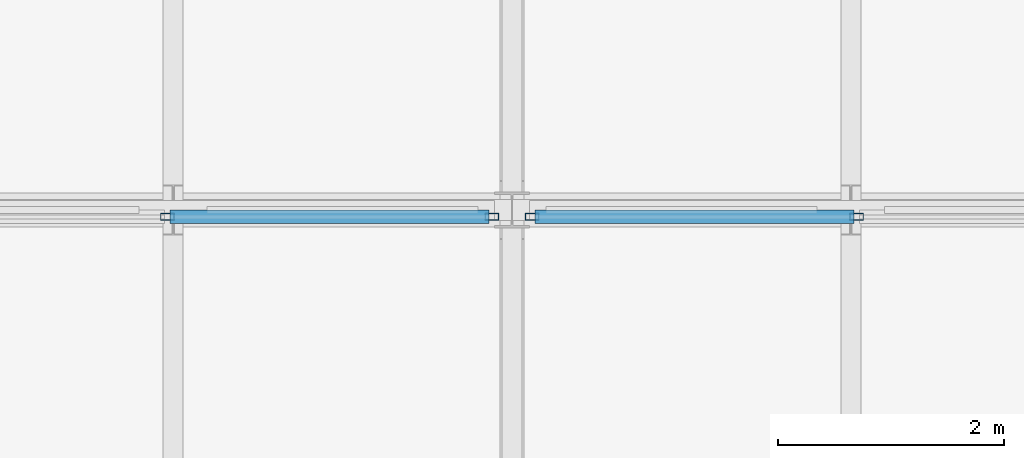
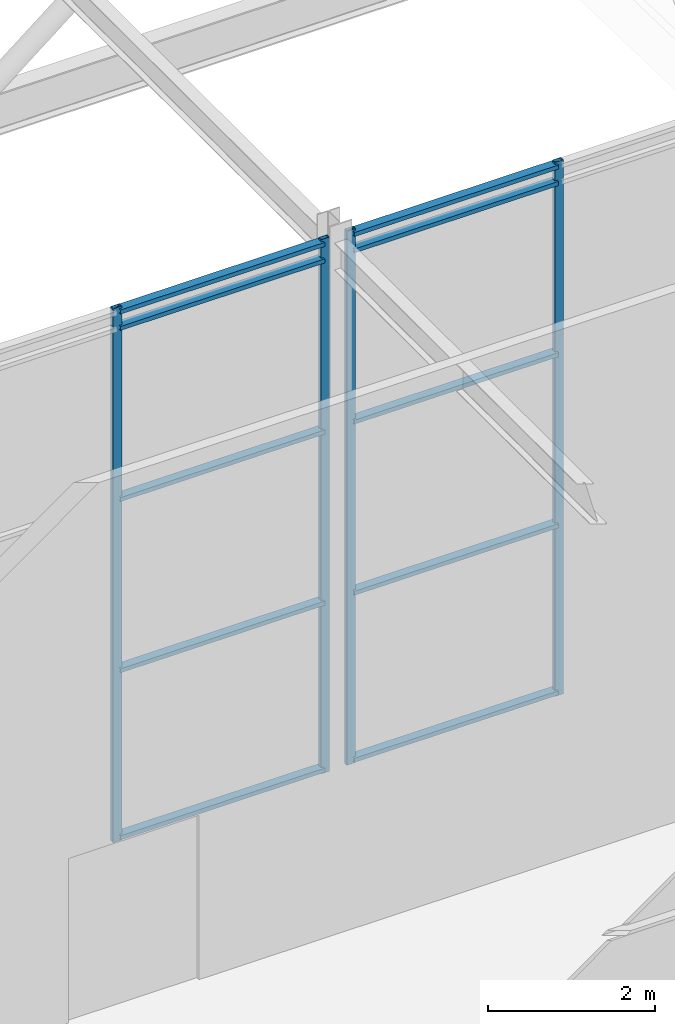
# One storey, part 55 of 144: 14 members, 2 elements without a shape of their own.
"""IFC4 building model written with IfcOpenShell, lengths in metres."""

from ifc_helpers import new_model, si_unit, direction, frame, origin, origin_2d, place, context, subcontext, project, spatial, hollow_rectangle, extrude, material, layer, layer_set, material_profile, profile_set, type_object, element, aggregate, save


model = new_model("IFC4")

# Units and contexts
model_context = context("Model", 3, precision=1e-05, world=origin(), true_north=direction((0.0, 1.0)))
body_context = subcontext(model_context, "Body", "Model", "MODEL_VIEW")
ifc_project = project(units=[si_unit("LENGTHUNIT", "METRE"), si_unit("AREAUNIT", "SQUARE_METRE"), si_unit("VOLUMEUNIT", "CUBIC_METRE"), si_unit("PLANEANGLEUNIT", "RADIAN"), si_unit("MASSUNIT", "GRAM", prefix="KILO")], contexts=[model_context])

# Site, building, storey
site_placement = place(None, origin())
site = spatial("IfcSite", under=ifc_project, at=site_placement, CompositionType="ELEMENT")
building_placement = place(site_placement, origin())
building = spatial("IfcBuilding", under=site, at=building_placement, Name="Shorebreak Coast Museum", CompositionType="ELEMENT")
storey_placement = place(building_placement, frame((0.0, 0.0, 36.0)))
storey = spatial("IfcBuildingStorey", under=building, at=storey_placement, Name="L06", CompositionType="ELEMENT", Elevation=36.0)

# Curtain wall, members
ifc_material_1 = material(Name="Aluminium", Category="aluminium")
ifc_layer = layer(ifc_material_1, 0.1201171875)
ifc_layer_set = layer_set([ifc_layer], Name="Aluminium")
curtain_wall_type = type_object("IfcCurtainWallType", Name="Atrium fire screen", PredefinedType="NOTDEFINED", material=ifc_layer_set)
curtain_wall_1_placement = place(storey_placement, origin())
curtain_wall_1 = element("IfcCurtainWall", 1, at=curtain_wall_1_placement, inside=storey, type_object=curtain_wall_type, Name="Atrium screen L06 S 81", PredefinedType="NOTDEFINED")
ifc_material_2 = material(Name="Aluminium", Category="aluminium")
ifc_material_profile_1 = material_profile(ifc_material_2, hollow_rectangle(XDim=0.06005859375, YDim=0.1201171875, WallThickness=0.00341796875, at=origin_2d()), Name="AL 120x60 RHS")
ifc_profile_set_1 = profile_set([ifc_material_profile_1], Name="Aluminium")
member_type_1 = type_object("IfcMemberType", Name="Screen mullion 50 x 120", PredefinedType="MULLION", material=ifc_profile_set_1)
member_1_placement = place(storey_placement, frame((86.94873046875, 62.93994140625, 0.0), z_axis=(0.0, 0.0, 1.0), x_axis=(0.0, 1.0, 0.0)))
member_1 = element("IfcMember", 2, at=member_1_placement, type_object=member_type_1, Name="CW4 mullion 3", PredefinedType="MULLION", context=body_context, shape_type="SweptSolid", body=[
    extrude(hollow_rectangle(XDim=0.06005859375, YDim=0.1201171875, WallThickness=0.00341796875, at=origin_2d()), origin(), (0.0, 0.0, 1.0), 7.800048828125),
])
member_2_placement = place(storey_placement, frame((89.821533203125, 62.93994140625, 0.0), z_axis=(0.0, 0.0, 1.0), x_axis=(0.0, 1.0, 0.0)))
member_2 = element("IfcMember", 3, at=member_2_placement, type_object=member_type_1, Name="CW4 mullion 4", PredefinedType="MULLION", context=body_context, shape_type="SweptSolid", body=[
    extrude(hollow_rectangle(XDim=0.06005859375, YDim=0.1201171875, WallThickness=0.00341796875, at=origin_2d()), origin(), (0.0, 0.0, 1.0), 7.800048828125),
])

curtain_wall_2_placement = place(storey_placement, origin())
curtain_wall_2 = element("IfcCurtainWall", 4, at=curtain_wall_2_placement, inside=storey, type_object=curtain_wall_type, Name="Atrium screen L06 S 82", PredefinedType="NOTDEFINED")
member_3_placement = place(storey_placement, frame((90.178466796875, 62.93994140625, 0.0), z_axis=(0.0, 0.0, 1.0), x_axis=(0.0, 1.0, 0.0)))
member_3 = element("IfcMember", 5, at=member_3_placement, type_object=member_type_1, Name="CW5 mullion 1", PredefinedType="MULLION", context=body_context, shape_type="SweptSolid", body=[
    extrude(hollow_rectangle(XDim=0.06005859375, YDim=0.1201171875, WallThickness=0.00341796875, at=origin_2d()), origin(), (0.0, 0.0, 1.0), 7.800048828125),
])
member_4_placement = place(storey_placement, frame((93.05126953125, 62.93994140625, 0.0), z_axis=(0.0, 0.0, 1.0), x_axis=(0.0, 1.0, 0.0)))
member_4 = element("IfcMember", 6, at=member_4_placement, type_object=member_type_1, Name="CW5 mullion 2", PredefinedType="MULLION", context=body_context, shape_type="SweptSolid", body=[
    extrude(hollow_rectangle(XDim=0.06005859375, YDim=0.1201171875, WallThickness=0.00341796875, at=origin_2d()), origin(), (0.0, 0.0, 1.0), 7.800048828125),
])

# Member
ifc_material_3 = material(Name="Aluminium", Category="aluminium")
ifc_material_profile_2 = material_profile(ifc_material_3, hollow_rectangle(XDim=0.1201171875, YDim=0.06005859375, WallThickness=0.00341796875, at=origin_2d()), Name="AL 60x120 RHS")
ifc_profile_set_2 = profile_set([ifc_material_profile_2], Name="Aluminium")
member_type_2 = type_object("IfcMemberType", Name="Screen transom 120 x 50", PredefinedType="USERDEFINED", material=ifc_profile_set_2)
member_5_placement = place(storey_placement, frame((86.973876953125, 62.93994140625, 0.06005859375), z_axis=(1.0, 0.0, 0.0), x_axis=(0.0, 1.0, 0.0)))
member_5 = element("IfcMember", 7, at=member_5_placement, type_object=member_type_2, Name="CW4 transom 3.1", ObjectType="TRANSOM", PredefinedType="USERDEFINED", context=body_context, shape_type="SweptSolid", body=[
    extrude(hollow_rectangle(XDim=0.1201171875, YDim=0.06005859375, WallThickness=0.00341796875, at=origin_2d()), origin(), (0.0, 0.0, 1.0), 2.822509765625),
])

member_6_placement = place(storey_placement, frame((86.973876953125, 62.93994140625, 2.5), z_axis=(1.0, 0.0, 0.0), x_axis=(0.0, 1.0, 0.0)))
member_6 = element("IfcMember", 8, at=member_6_placement, type_object=member_type_2, Name="CW4 transom 3.2", ObjectType="TRANSOM", PredefinedType="USERDEFINED", context=body_context, shape_type="SweptSolid", body=[
    extrude(hollow_rectangle(XDim=0.1201171875, YDim=0.06005859375, WallThickness=0.00341796875, at=origin_2d()), origin(), (0.0, 0.0, 1.0), 2.822509765625),
])

member_7_placement = place(storey_placement, frame((86.973876953125, 62.93994140625, 5.0), z_axis=(1.0, 0.0, 0.0), x_axis=(0.0, 1.0, 0.0)))
member_7 = element("IfcMember", 9, at=member_7_placement, type_object=member_type_2, Name="CW4 transom 3.3", ObjectType="TRANSOM", PredefinedType="USERDEFINED", context=body_context, shape_type="SweptSolid", body=[
    extrude(hollow_rectangle(XDim=0.1201171875, YDim=0.06005859375, WallThickness=0.00341796875, at=origin_2d()), origin(), (0.0, 0.0, 1.0), 2.822509765625),
])

member_8_placement = place(storey_placement, frame((86.973876953125, 62.93994140625, 7.5), z_axis=(1.0, 0.0, 0.0), x_axis=(0.0, 1.0, 0.0)))
member_8 = element("IfcMember", 10, at=member_8_placement, type_object=member_type_2, Name="CW4 transom 3.4", ObjectType="TRANSOM", PredefinedType="USERDEFINED", context=body_context, shape_type="SweptSolid", body=[
    extrude(hollow_rectangle(XDim=0.1201171875, YDim=0.06005859375, WallThickness=0.00341796875, at=origin_2d()), origin(), (0.0, 0.0, 1.0), 2.822509765625),
])

member_9_placement = place(storey_placement, frame((86.973876953125, 62.93994140625, 7.739990234375), z_axis=(1.0, 0.0, 0.0), x_axis=(0.0, 1.0, 0.0)))
member_9 = element("IfcMember", 11, at=member_9_placement, type_object=member_type_2, Name="CW4 transom 3.5", ObjectType="TRANSOM", PredefinedType="USERDEFINED", context=body_context, shape_type="SweptSolid", body=[
    extrude(hollow_rectangle(XDim=0.1201171875, YDim=0.06005859375, WallThickness=0.00341796875, at=origin_2d()), origin(), (0.0, 0.0, 1.0), 2.822509765625),
])

aggregate(curtain_wall_1, [member_1, member_2, member_5, member_6, member_7, member_8, member_9])

member_10_placement = place(storey_placement, frame((90.20361328125, 62.93994140625, 0.06005859375), z_axis=(1.0, 0.0, 0.0), x_axis=(0.0, 1.0, 0.0)))
member_10 = element("IfcMember", 12, at=member_10_placement, type_object=member_type_2, Name="CW5 transom 1.1", ObjectType="TRANSOM", PredefinedType="USERDEFINED", context=body_context, shape_type="SweptSolid", body=[
    extrude(hollow_rectangle(XDim=0.1201171875, YDim=0.06005859375, WallThickness=0.00341796875, at=origin_2d()), origin(), (0.0, 0.0, 1.0), 2.822509765625),
])

member_11_placement = place(storey_placement, frame((90.20361328125, 62.93994140625, 2.5), z_axis=(1.0, 0.0, 0.0), x_axis=(0.0, 1.0, 0.0)))
member_11 = element("IfcMember", 13, at=member_11_placement, type_object=member_type_2, Name="CW5 transom 1.2", ObjectType="TRANSOM", PredefinedType="USERDEFINED", context=body_context, shape_type="SweptSolid", body=[
    extrude(hollow_rectangle(XDim=0.1201171875, YDim=0.06005859375, WallThickness=0.00341796875, at=origin_2d()), origin(), (0.0, 0.0, 1.0), 2.822509765625),
])

member_12_placement = place(storey_placement, frame((90.20361328125, 62.93994140625, 5.0), z_axis=(1.0, 0.0, 0.0), x_axis=(0.0, 1.0, 0.0)))
member_12 = element("IfcMember", 14, at=member_12_placement, type_object=member_type_2, Name="CW5 transom 1.3", ObjectType="TRANSOM", PredefinedType="USERDEFINED", context=body_context, shape_type="SweptSolid", body=[
    extrude(hollow_rectangle(XDim=0.1201171875, YDim=0.06005859375, WallThickness=0.00341796875, at=origin_2d()), origin(), (0.0, 0.0, 1.0), 2.822509765625),
])

member_13_placement = place(storey_placement, frame((90.20361328125, 62.93994140625, 7.5), z_axis=(1.0, 0.0, 0.0), x_axis=(0.0, 1.0, 0.0)))
member_13 = element("IfcMember", 15, at=member_13_placement, type_object=member_type_2, Name="CW5 transom 1.4", ObjectType="TRANSOM", PredefinedType="USERDEFINED", context=body_context, shape_type="SweptSolid", body=[
    extrude(hollow_rectangle(XDim=0.1201171875, YDim=0.06005859375, WallThickness=0.00341796875, at=origin_2d()), origin(), (0.0, 0.0, 1.0), 2.822509765625),
])

member_14_placement = place(storey_placement, frame((90.20361328125, 62.93994140625, 7.739990234375), z_axis=(1.0, 0.0, 0.0), x_axis=(0.0, 1.0, 0.0)))
member_14 = element("IfcMember", 16, at=member_14_placement, type_object=member_type_2, Name="CW5 transom 1.5", ObjectType="TRANSOM", PredefinedType="USERDEFINED", context=body_context, shape_type="SweptSolid", body=[
    extrude(hollow_rectangle(XDim=0.1201171875, YDim=0.06005859375, WallThickness=0.00341796875, at=origin_2d()), origin(), (0.0, 0.0, 1.0), 2.822509765625),
])

aggregate(curtain_wall_2, [member_3, member_4, member_10, member_11, member_12, member_13, member_14])

save(model, "model.ifc")
